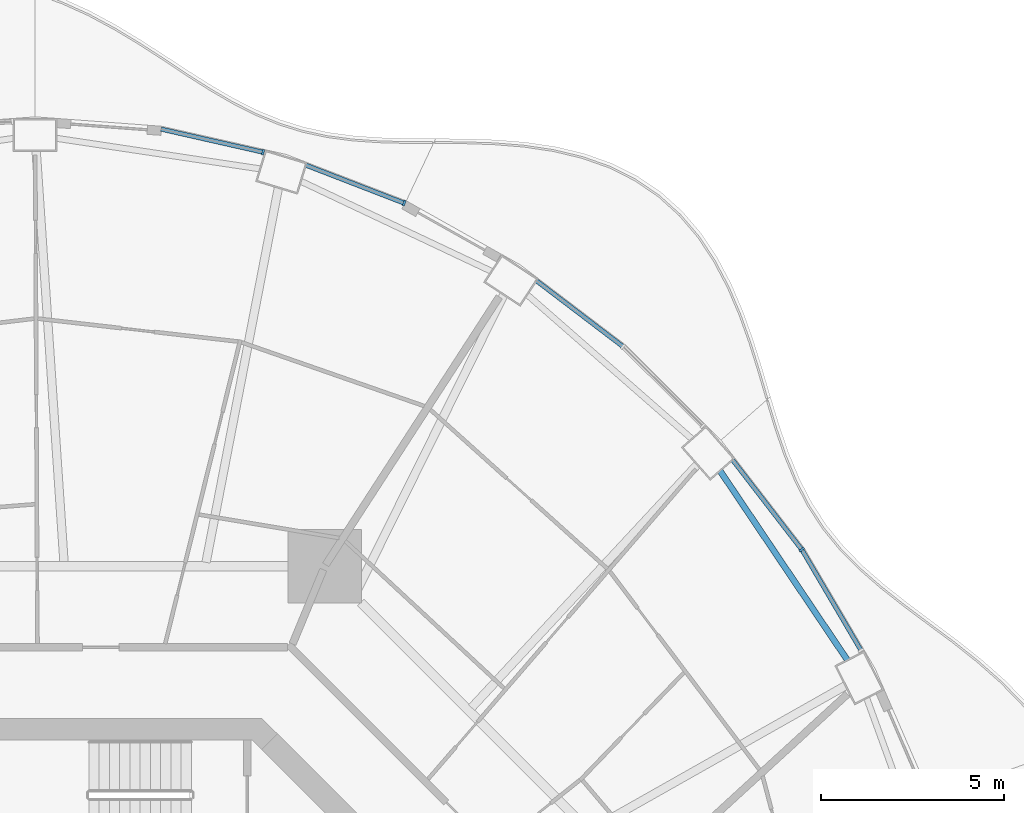
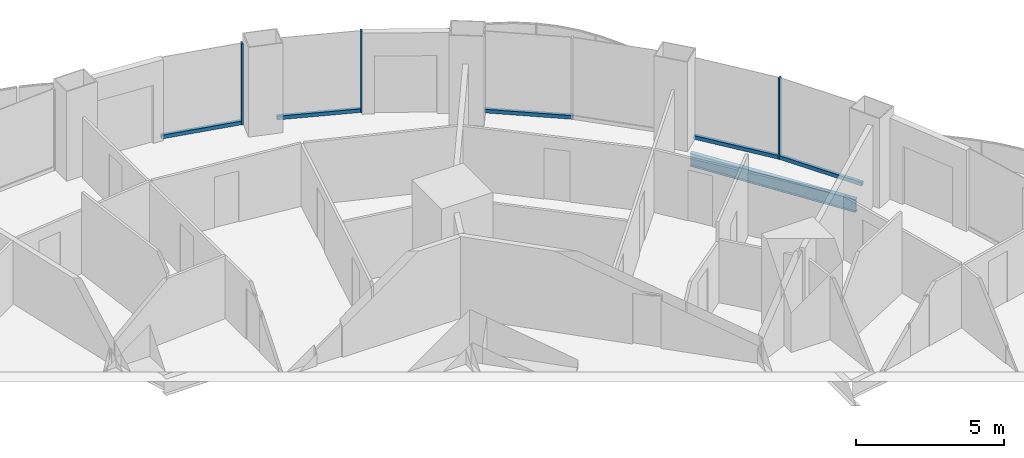
# One storey, part 10 of 21: 8 members, 1 beam, 5 elements without a shape of their own.
"""IFC4 building model written with IfcOpenShell, lengths in metres."""

from ifc_helpers import new_model, si_unit, direction, frame, origin, origin_2d, place, context, subcontext, project, spatial, rectangle, i_section, extrude, material, layer, layer_set, material_profile, profile_set, type_object, element, aggregate, save


model = new_model("IFC4")

# Units and contexts
model_context = context("Model", 3, precision=1e-05, world=origin(), true_north=direction((0.0, 1.0)))
body_context = subcontext(model_context, "Body", "Model", "MODEL_VIEW")
ifc_project = project(units=[si_unit("LENGTHUNIT", "METRE"), si_unit("AREAUNIT", "SQUARE_METRE"), si_unit("VOLUMEUNIT", "CUBIC_METRE"), si_unit("PLANEANGLEUNIT", "RADIAN"), si_unit("MASSUNIT", "GRAM", prefix="KILO")], contexts=[model_context])

# Site, building, storey
site_placement = place(None, origin())
site = spatial("IfcSite", under=ifc_project, at=site_placement, CompositionType="ELEMENT")
building_placement = place(site_placement, origin())
building = spatial("IfcBuilding", under=site, at=building_placement, Name="Nagisa Residences", CompositionType="ELEMENT")
storey_placement = place(building_placement, frame((0.0, 0.0, 156.60009765625)))
storey = spatial("IfcBuildingStorey", under=building, at=storey_placement, Name="L39", CompositionType="ELEMENT", Elevation=156.60009765625)

# Curtain wall, member
ifc_material_1 = material(Name="Concrete-coloured aluminium curtain wall system", Category="concrete")
ifc_layer = layer(ifc_material_1, 0.159912109375)
ifc_layer_set = layer_set([ifc_layer], Name="CW1 CURTAIN WALL")
curtain_wall_type = type_object("IfcCurtainWallType", Name="CW1 CURTAIN WALL", PredefinedType="NOTDEFINED", material=ifc_layer_set)
curtain_wall_1_placement = place(storey_placement, origin())
curtain_wall_1 = element("IfcCurtainWall", 1, at=curtain_wall_1_placement, inside=storey, type_object=curtain_wall_type, Name="cw:CW1:L39:05", PredefinedType="NOTDEFINED")
ifc_material_2 = material(Name="Concrete-coloured aluminium", Category="concrete")
ifc_material_profile_1 = material_profile(ifc_material_2, rectangle(XDim=0.159912109375, YDim=0.06005859375, at=origin_2d()), Name="CW1 MULLION 160x60")
ifc_profile_set_1 = profile_set([ifc_material_profile_1], Name="Concrete-coloured aluminium")
member_type_1 = type_object("IfcMemberType", Name="CW1 MULLION 160x60", PredefinedType="MULLION", material=ifc_profile_set_1)
member_1_placement = place(storey_placement, frame((19.169921875, 15.23876953125, 0.0), z_axis=(0.0, 0.0, 1.0), x_axis=(-0.792070340816, -0.610429828235, 0.0)))
member_1 = element("IfcMember", 2, at=member_1_placement, type_object=member_type_1, Name="CW1 mullion", PredefinedType="MULLION", context=body_context, shape_type="SweptSolid", body=[
    extrude(rectangle(XDim=0.159912109375, YDim=0.06005859375, at=origin_2d()), origin(), (0.0, 0.0, 1.0), 3.349853515625),
])

curtain_wall_2_placement = place(storey_placement, origin())
curtain_wall_2 = element("IfcCurtainWall", 3, at=curtain_wall_2_placement, inside=storey, type_object=curtain_wall_type, Name="cw:CW1:L39:09", PredefinedType="NOTDEFINED")
member_2_placement = place(storey_placement, frame((8.297607421875, 24.715087890625, 0.0), z_axis=(0.0, 0.0, 1.0), x_axis=(-0.360327770268, -0.932825759707, 0.0)))
member_2 = element("IfcMember", 4, at=member_2_placement, type_object=member_type_1, Name="CW1 mullion", PredefinedType="MULLION", context=body_context, shape_type="SweptSolid", body=[
    extrude(rectangle(XDim=0.159912109375, YDim=0.06005859375, at=origin_2d()), origin(), (0.0, 0.0, 1.0), 3.349853515625),
])

curtain_wall_3_placement = place(storey_placement, origin())
curtain_wall_3 = element("IfcCurtainWall", 5, at=curtain_wall_3_placement, inside=storey, type_object=curtain_wall_type, Name="cw:CW1:L39:10", PredefinedType="NOTDEFINED")
member_3_placement = place(storey_placement, frame((4.435546875, 26.109375, 0.0), z_axis=(0.0, 0.0, 1.0), x_axis=(-0.2207639201, -0.975327274089, 0.0)))
member_3 = element("IfcMember", 6, at=member_3_placement, type_object=member_type_1, Name="CW1 mullion", PredefinedType="MULLION", context=body_context, shape_type="SweptSolid", body=[
    extrude(rectangle(XDim=0.159912109375, YDim=0.06005859375, at=origin_2d()), origin(), (0.0, 0.0, 1.0), 3.349853515625),
])

curtain_wall_4_placement = place(storey_placement, origin())
curtain_wall_4 = element("IfcCurtainWall", 7, at=curtain_wall_4_placement, inside=storey, type_object=curtain_wall_type, Name="cw:CW1:L39:04", PredefinedType="NOTDEFINED")
ifc_material_3 = material(Name="Concrete-coloured aluminium", Category="concrete")
ifc_material_profile_2 = material_profile(ifc_material_3, rectangle(XDim=0.1201171875, YDim=0.14990234375, at=origin_2d()), Name="CW1 TRANSOM 120x150")
ifc_profile_set_2 = profile_set([ifc_material_profile_2], Name="Concrete-coloured aluminium")
member_type_2 = type_object("IfcMemberType", Name="CW1 TRANSOM 120x150", PredefinedType="USERDEFINED", material=ifc_profile_set_2)
member_4_placement = place(storey_placement, frame((20.80712890625, 12.456787109375, 0.074951171875), z_axis=(-0.506348207891, 0.86232910908, 0.0), x_axis=(-0.86232910908, -0.506348207891, 0.0)))
member_4 = element("IfcMember", 8, at=member_4_placement, type_object=member_type_2, Name="CW1 transom", ObjectType="TRANSOM", PredefinedType="USERDEFINED", context=body_context, shape_type="SweptSolid", body=[
    extrude(rectangle(XDim=0.1201171875, YDim=0.14990234375, at=origin_2d()), origin(), (0.0, 0.0, 1.0), 3.208251953125),
])
aggregate(curtain_wall_4, [member_4])

# Member
member_5_placement = place(storey_placement, frame((19.188232421875, 15.215087890625, 0.074951171875), z_axis=(-0.610467332273, 0.792041435928, 0.0), x_axis=(-0.792041435928, -0.610467332273, 0.0)))
member_5 = element("IfcMember", 9, at=member_5_placement, type_object=member_type_2, Name="CW1 transom", ObjectType="TRANSOM", PredefinedType="USERDEFINED", context=body_context, shape_type="SweptSolid", body=[
    extrude(rectangle(XDim=0.1201171875, YDim=0.14990234375, at=origin_2d()), origin(), (0.0, 0.0, 1.0), 3.14892578125),
])

aggregate(curtain_wall_1, [member_1, member_5])

# Curtain wall, member
curtain_wall_5_placement = place(storey_placement, origin())
curtain_wall_5 = element("IfcCurtainWall", 10, at=curtain_wall_5_placement, inside=storey, type_object=curtain_wall_type, Name="cw:CW1:L39:07", PredefinedType="NOTDEFINED")
member_6_placement = place(storey_placement, frame((14.30517578125, 20.77392578125, 0.074951171875), z_axis=(-0.796022231079, 0.605267385233, 0.0), x_axis=(-0.605267385233, -0.796022231079, 0.0)))
member_6 = element("IfcMember", 11, at=member_6_placement, type_object=member_type_2, Name="CW1 transom", ObjectType="TRANSOM", PredefinedType="USERDEFINED", context=body_context, shape_type="SweptSolid", body=[
    extrude(rectangle(XDim=0.1201171875, YDim=0.14990234375, at=origin_2d()), origin(), (0.0, 0.0, 1.0), 3.025634765625),
])
aggregate(curtain_wall_5, [member_6])

# Member
member_7_placement = place(storey_placement, frame((8.32568359375, 24.704345703125, 0.074951171875), z_axis=(-0.932845344347, 0.360277064952, 0.0), x_axis=(-0.360277064952, -0.932845344347, 0.0)))
member_7 = element("IfcMember", 12, at=member_7_placement, type_object=member_type_2, Name="CW1 transom", ObjectType="TRANSOM", PredefinedType="USERDEFINED", context=body_context, shape_type="SweptSolid", body=[
    extrude(rectangle(XDim=0.1201171875, YDim=0.14990234375, at=origin_2d()), origin(), (0.0, 0.0, 1.0), 2.92333984375),
])

aggregate(curtain_wall_2, [member_2, member_7])

member_8_placement = place(storey_placement, frame((4.46484375, 26.102783203125, 0.074951171875), z_axis=(-0.975320849653, 0.220792301117, 0.0), x_axis=(-0.220792301117, -0.975320849653, 0.0)))
member_8 = element("IfcMember", 13, at=member_8_placement, type_object=member_type_2, Name="CW1 transom", ObjectType="TRANSOM", PredefinedType="USERDEFINED", context=body_context, shape_type="SweptSolid", body=[
    extrude(rectangle(XDim=0.1201171875, YDim=0.14990234375, at=origin_2d()), origin(), (0.0, 0.0, 1.0), 2.890380859375),
])

aggregate(curtain_wall_3, [member_3, member_8])

# Beam
ifc_material_4 = material(Name="Steel ASTM A572 Gr 50", Category="steel")
ifc_material_profile_3 = material_profile(ifc_material_4, i_section(OverallWidth=0.166015625, OverallDepth=0.534912109375, WebThickness=0.01025390625, FlangeThickness=0.0166015625, at=origin_2d()), Name="W530x85")
ifc_profile_set_3 = profile_set([ifc_material_profile_3], Name="Steel ASTM A572 Gr 50")
beam_type = type_object("IfcBeamType", Name="Perimeter ring beam W530x85", PredefinedType="BEAM", material=ifc_profile_set_3)
beam_placement = place(storey_placement, frame((20.420654296875, 12.21484375, -0.527587890625), z_axis=(-0.558187951157, 0.82971453596, 0.0), x_axis=(-0.82971453596, -0.558187951157, 0.0)))
element("IfcBeam", 14, at=beam_placement, inside=storey, type_object=beam_type, Name="beam:L39:pb03", PredefinedType="BEAM", context=body_context, shape_type="SweptSolid", body=[
    extrude(i_section(OverallWidth=0.166015625, OverallDepth=0.534912109375, WebThickness=0.01025390625, FlangeThickness=0.0166015625, at=origin_2d()), origin(), (0.0, 0.0, 1.0), 6.24267578125),
])

save(model, "model.ifc")
